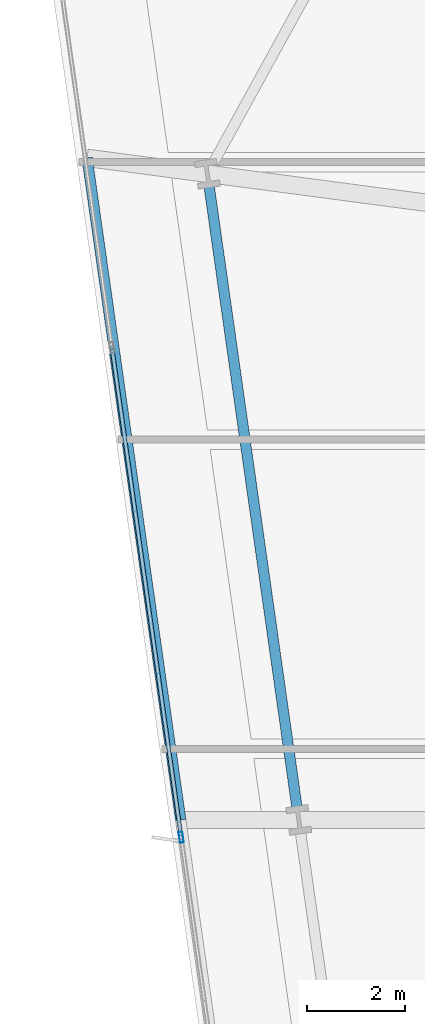
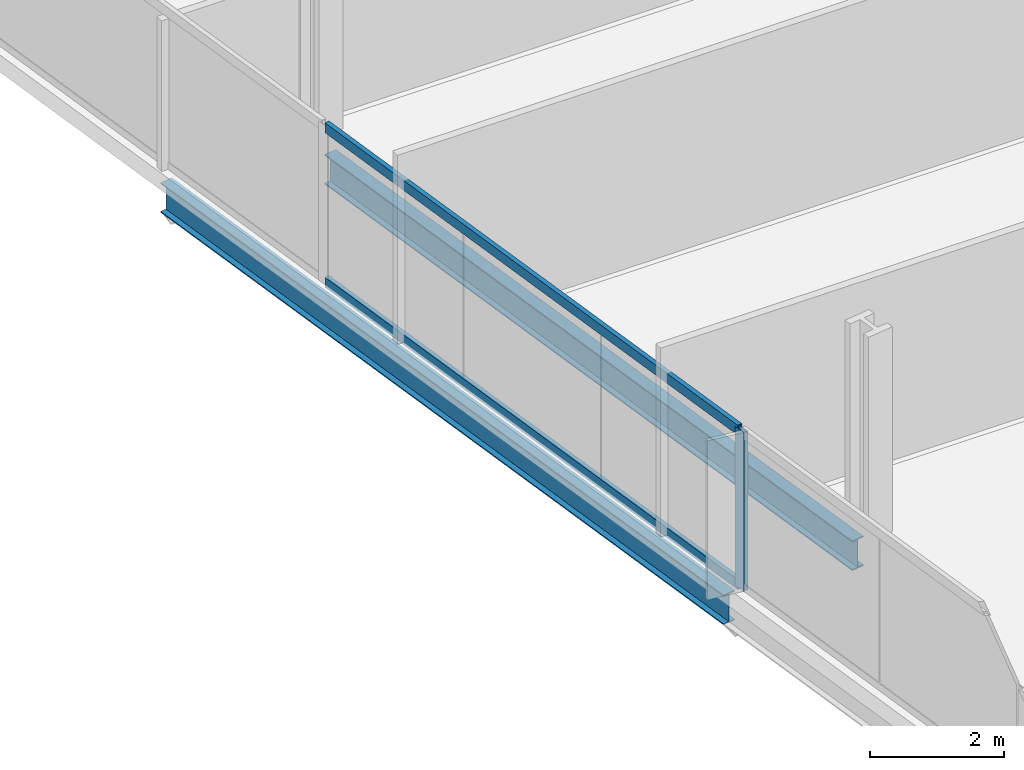
# One storey, part 7 of 33: 3 members, 2 beams, 1 element without a shape of its own.
"""IFC4 building model written with IfcOpenShell, lengths in metres."""

import ifcopenshell
import ifcopenshell.guid

model = None  # the IFC model being written
_history = None  # IfcOwnerHistory: only IFC2X3 demands one
_inside = {}  # id of a spatial element -> (the spatial element, [elements in it])
_under = {}  # id of a project, library or spatial element -> (it, [spatial elements below it])
_declared = {}  # id of a project -> (the project, [libraries it declares])
_typed = {}  # id of a type object -> (the type object, [elements of that type])
_made_of = {}  # id of a material, layer set ... -> (it, [elements and type objects made of it])


def new_model(schema):
    """Start an empty IFC model of exactly this schema.

    Asked for "IFC4X3", IfcOpenShell would pick the latest addendum, in which some entities
    have other attributes; the version numbers below select the first issue.
    IFC2X3 requires an IfcOwnerHistory on every rooted entity: one is made here for all.
    """
    global model, _history
    if schema == "IFC4X3":
        model = ifcopenshell.file(schema_version=(4, 3, 0, 0))
    else:
        model = ifcopenshell.file(schema=schema)
    _inside.clear()
    _under.clear()
    _declared.clear()
    _typed.clear()
    _made_of.clear()
    _history = None
    if model.schema == "IFC2X3":
        org = make("IfcOrganization", Name="unknown")
        user = make(
            "IfcPersonAndOrganization",
            ThePerson=make("IfcPerson", FamilyName="unknown"),
            TheOrganization=org,
        )
        app = make(
            "IfcApplication",
            ApplicationDeveloper=org,
            Version="unknown",
            ApplicationFullName="unknown",
            ApplicationIdentifier="unknown",
        )
        _history = make(
            "IfcOwnerHistory",
            OwningUser=user,
            OwningApplication=app,
            ChangeAction="ADDED",
            CreationDate=0,
        )
    return model


def make(cls, **values):
    """One entity of the class cls with the attributes given. An attribute that is None is left unset."""
    return model.create_entity(
        cls, **{name: value for name, value in values.items() if value is not None}
    )


def rooted(cls, **values):
    """An entity with a GlobalId (a new one), such as an element, a storey or a relation."""
    return make(cls, GlobalId=ifcopenshell.guid.new(), OwnerHistory=_history, **values)


def si_unit(unit_type, name, prefix=None):
    """IfcSIUnit, for example si_unit("LENGTHUNIT", "METRE", prefix="MILLI")."""
    return make("IfcSIUnit", UnitType=unit_type, Prefix=prefix, Name=name)


def assignment(units):
    """IfcUnitAssignment: the units of a project."""
    return None if units is None else make("IfcUnitAssignment", Units=units)


def point(xyz):
    """IfcCartesianPoint."""
    return None if xyz is None else make("IfcCartesianPoint", Coordinates=xyz)


def direction(xyz):
    """IfcDirection."""
    return None if xyz is None else make("IfcDirection", DirectionRatios=xyz)


def frame(location, z_axis=None, x_axis=None):
    """IfcAxis2Placement3D, a coordinate frame: its origin and axes. An axis left out is left unset."""
    return make(
        "IfcAxis2Placement3D",
        Location=point(location),
        Axis=direction(z_axis),
        RefDirection=direction(x_axis),
    )


def frame_2d(location, x_axis=None):
    """IfcAxis2Placement2D, a coordinate frame in the plane: its origin and x axis."""
    return make(
        "IfcAxis2Placement2D", Location=point(location), RefDirection=direction(x_axis)
    )


def origin():
    """The frame at (0, 0, 0) with its axes left unset."""
    return frame((0.0, 0.0, 0.0))


def origin_2d():
    """The frame at (0, 0) in the plane with its x axis left unset."""
    return frame_2d((0.0, 0.0))


def place(relative_to, where):
    """IfcLocalPlacement: puts the frame where relative to a parent placement (None: the world)."""
    return make(
        "IfcLocalPlacement", PlacementRelTo=relative_to, RelativePlacement=where
    )


def context(
    kind, dimensions, precision=None, world=None, true_north=None, identifier=None
):
    """IfcGeometricRepresentationContext, for example the 3D "Model" context."""
    return make(
        "IfcGeometricRepresentationContext",
        ContextIdentifier=identifier,
        ContextType=kind,
        CoordinateSpaceDimension=dimensions,
        Precision=precision,
        WorldCoordinateSystem=world,
        TrueNorth=true_north,
    )


def subcontext(parent, identifier, kind, view, scale=None):
    """IfcGeometricRepresentationSubContext, for example "Body" below "Model"."""
    return make(
        "IfcGeometricRepresentationSubContext",
        ContextIdentifier=identifier,
        ContextType=kind,
        ParentContext=parent,
        TargetScale=scale,
        TargetView=view,
    )


def project(units=None, contexts=None):
    """IfcProject with its units and contexts."""
    return rooted(
        "IfcProject",
        Name="project",
        RepresentationContexts=contexts,
        UnitsInContext=assignment(units),
    )


def spatial(cls, under=None, at=None, **own):
    """A site, building, storey or space (cls), placed at a placement, below another one or the project."""
    s = rooted(cls, ObjectPlacement=at, **own)
    if under is not None:
        _under.setdefault(under.id(), (under, []))[1].append(s)
    return s


def profile(cls, at=None, kind="AREA", **sizes):
    """A parametric profile (cls). Its sizes go by their IFC names, for example OverallWidth=200.0."""
    return make(cls, ProfileType=kind, Position=at, **sizes)


def hollow_rectangle(**sizes):
    """IfcRectangleHollowProfileDef."""
    return profile("IfcRectangleHollowProfileDef", **sizes)


def i_section(**sizes):
    """IfcIShapeProfileDef."""
    return profile("IfcIShapeProfileDef", **sizes)


def extrude(swept, where, along, depth):
    """IfcExtrudedAreaSolid: the profile swept, set in the frame where, extruded along a direction by depth."""
    return make(
        "IfcExtrudedAreaSolid",
        SweptArea=swept,
        Position=where,
        ExtrudedDirection=direction(along),
        Depth=depth,
    )


def shape(context_of_items, identifier, shape_type, items):
    """IfcShapeRepresentation: the items that make up one representation, for example the "Body"."""
    return make(
        "IfcShapeRepresentation",
        ContextOfItems=context_of_items,
        RepresentationIdentifier=identifier,
        RepresentationType=shape_type,
        Items=items,
    )


def material(Name=None, Category=None):
    """IfcMaterial."""
    return make("IfcMaterial", Name=Name, Category=Category)


def material_profile(
    of_material, cross_section, Name=None, Category=None, Priority=None
):
    """IfcMaterialProfile: a cross section and its material."""
    return make(
        "IfcMaterialProfile",
        Name=Name,
        Material=of_material,
        Profile=cross_section,
        Priority=Priority,
        Category=Category,
    )


def profile_set(profiles, Name=None, composite=None):
    """IfcMaterialProfileSet."""
    return make(
        "IfcMaterialProfileSet",
        Name=Name,
        MaterialProfiles=profiles,
        CompositeProfile=composite,
    )


def made_of(thing, what):
    """Note that an element or type object is made of a material, layer set ...; save() writes the relation."""
    if what is not None:
        _made_of.setdefault(what.id(), (what, []))[1].append(thing)
    return thing


def type_object(cls, material=None, **own):
    """A type object (cls), such as IfcWallType, which elements share."""
    return made_of(rooted(cls, **own), material)


def element(
    cls,
    number,
    at=None,
    inside=None,
    cuts=None,
    type_object=None,
    material=None,
    context=None,
    identifier="Body",
    shape_type=None,
    held_by="IfcProductDefinitionShape",
    body=None,
    shapes=None,
    **own,
):
    """One element of the class cls, such as IfcWall. Its Tag is "e" and its number.

    at: its placement. inside: the storey or other place that contains it. cuts: it is an
    opening in that element (IfcRelVoidsElement). A single representation is given by context,
    identifier, shape_type and body (its items); several are given by shapes. held_by: the class
    of the entity that holds the representations. save() writes the other relations.
    """
    e = rooted(cls, Tag="e%d" % number, ObjectPlacement=at, **own)
    if body is not None:
        shapes = [shape(context, identifier, shape_type, body)]
    if shapes is not None:
        e.Representation = make(held_by, Representations=shapes)
    if inside is not None:
        _inside.setdefault(inside.id(), (inside, []))[1].append(e)
    if cuts is not None:
        rooted(
            "IfcRelVoidsElement", RelatingBuildingElement=cuts, RelatedOpeningElement=e
        )
    if type_object is not None:
        _typed.setdefault(type_object.id(), (type_object, []))[1].append(e)
    return made_of(e, material)


def aggregate(whole, parts):
    """IfcRelAggregates: a whole, such as a stair, and the parts it consists of."""
    return rooted("IfcRelAggregates", RelatingObject=whole, RelatedObjects=parts)


def save(model, path):
    """Write the relations noted so far, then the file.

    IfcRelAggregates (storeys below a building ...), IfcRelContainedInSpatialStructure (elements
    in a storey), IfcRelDefinesByType, IfcRelAssociatesMaterial and IfcRelDeclares: one each for
    every whole, place, type object, material and project.
    """
    for whole, parts in _under.values():
        aggregate(whole, parts)
    for where, things in _inside.values():
        rooted(
            "IfcRelContainedInSpatialStructure",
            RelatedElements=things,
            RelatingStructure=where,
        )
    for kind, things in _typed.values():
        rooted("IfcRelDefinesByType", RelatedObjects=things, RelatingType=kind)
    for what, things in _made_of.values():
        rooted("IfcRelAssociatesMaterial", RelatedObjects=things, RelatingMaterial=what)
    for by, libraries in _declared.values():
        rooted("IfcRelDeclares", RelatingContext=by, RelatedDefinitions=libraries)
    model.write(path)


model = new_model("IFC4")

# Units and contexts
model_context = context("Model", 3, precision=1e-05, world=origin(), true_north=direction((0.0, 1.0)))
body_context = subcontext(model_context, "Body", "Model", "MODEL_VIEW")
ifc_project = project(units=[si_unit("LENGTHUNIT", "METRE"), si_unit("AREAUNIT", "SQUARE_METRE"), si_unit("VOLUMEUNIT", "CUBIC_METRE"), si_unit("PLANEANGLEUNIT", "RADIAN"), si_unit("MASSUNIT", "GRAM", prefix="KILO")], contexts=[model_context])

# Site, building, storey
site_placement = place(None, origin())
site = spatial("IfcSite", under=ifc_project, at=site_placement, CompositionType="ELEMENT")
building_placement = place(site_placement, origin())
building = spatial("IfcBuilding", under=site, at=building_placement, Name="Haldenkirk Collegiate Tower", CompositionType="ELEMENT")
storey_placement = place(building_placement, frame((0.0, 0.0, 55.199951171875)))
storey = spatial("IfcBuildingStorey", under=building, at=storey_placement, Name="L12", CompositionType="ELEMENT", Elevation=55.199951171875)

# Beams
ifc_material_1 = material(Name="Steel ASTM A992 Grade 50", Category="steel")
ifc_material_profile_1 = material_profile(ifc_material_1, i_section(OverallWidth=0.2119140625, OverallDepth=0.5439453125, WebThickness=0.01318359375, FlangeThickness=0.021240234375, at=origin_2d()), Name="W21X83")
ifc_profile_set_1 = profile_set([ifc_material_profile_1], Name="Steel ASTM A992 Grade 50")
beam_type = type_object("IfcBeamType", Name="BM-SPANDREL-W21X83", PredefinedType="SPANDREL", material=ifc_profile_set_1)
beam_1_placement = place(storey_placement, frame((10.30322265625, 35.951171875, -0.58203125), z_axis=(0.140049989419, -0.990144434143, 0.0), x_axis=(0.990144434143, 0.140049989419, 0.0)))
element("IfcBeam", 1, at=beam_1_placement, inside=storey, type_object=beam_type, Name="L12 perimeter spandrel beam 14", PredefinedType="SPANDREL", context=body_context, shape_type="SweptSolid", body=[
    extrude(i_section(OverallWidth=0.2119140625, OverallDepth=0.5439453125, WebThickness=0.01318359375, FlangeThickness=0.021240234375, at=origin_2d()), origin(), (0.0, 0.0, 1.0), 12.76220703125),
])
beam_2_placement = place(storey_placement, frame((7.816650390625, 36.536865234375, -0.58203125), z_axis=(0.140050830884, -0.990144315122, 0.0), x_axis=(0.990144315122, 0.140050830884, 0.0)))
element("IfcBeam", 2, at=beam_2_placement, inside=storey, type_object=beam_type, Name="L12 outer facade edge beam 4A", PredefinedType="SPANDREL", context=body_context, shape_type="SweptSolid", body=[
    extrude(i_section(OverallWidth=0.2119140625, OverallDepth=0.5439453125, WebThickness=0.01318359375, FlangeThickness=0.021240234375, at=origin_2d()), origin(), (0.0, 0.0, 1.0), 13.6181640625),
])

# Curtain wall, members
ifc_material_2 = material(Name="Anodised architectural bronze aluminium", Category="aluminium")
curtain_wall_type = type_object("IfcCurtainWallType", Name="CW-SYS1-CONVEX-LOW", PredefinedType="USERDEFINED", material=ifc_material_2)
curtain_wall_placement = place(storey_placement, origin())
curtain_wall = element("IfcCurtainWall", 3, at=curtain_wall_placement, inside=storey, type_object=curtain_wall_type, Name="L12 Lower tower convex bronze-framed unitised curtain wall", ObjectType="UNITISED CURTAIN WALL", PredefinedType="USERDEFINED")
ifc_material_profile_2 = material_profile(ifc_material_2, hollow_rectangle(XDim=0.080078125, YDim=0.219970703125, WallThickness=0.0048828125, at=origin_2d()), Name="CW-MUL-1A")
ifc_profile_set_2 = profile_set([ifc_material_profile_2], Name="Anodised architectural bronze aluminium")
member_type_1 = type_object("IfcMemberType", Name="CW-MUL-1A", PredefinedType="MULLION", material=ifc_profile_set_2)
member_1_placement = place(storey_placement, frame((9.733154296875, 22.70166015625, 0.0), z_axis=(0.0, 0.0, 1.0), x_axis=(-0.990145921918, -0.140039470541, 0.0)))
member_1 = element("IfcMember", 4, at=member_1_placement, type_object=member_type_1, Name="CW-1A mullion 3", PredefinedType="MULLION", context=body_context, shape_type="SweptSolid", body=[
    extrude(hollow_rectangle(XDim=0.080078125, YDim=0.219970703125, WallThickness=0.0048828125, at=origin_2d()), origin(), (0.0, 0.0, 1.0), 2.89111328125),
])
ifc_material_profile_3 = material_profile(ifc_material_2, hollow_rectangle(XDim=0.080078125, YDim=0.179931640625, WallThickness=0.0048828125, at=origin_2d()), Name="CW-TRN-1A")
ifc_profile_set_3 = profile_set([ifc_material_profile_3], Name="Anodised architectural bronze aluminium")
member_type_2 = type_object("IfcMemberType", Name="CW-TRN-1A", PredefinedType="USERDEFINED", material=ifc_profile_set_3)
member_2_placement = place(storey_placement, frame((9.7275390625, 22.7412109375, 0.0400390625), z_axis=(-0.140049081569, 0.990144562552, 0.0), x_axis=(-0.990144562552, -0.140049081569, 0.0)))
member_2 = element("IfcMember", 5, at=member_2_placement, type_object=member_type_2, Name="CW-1A transom 3.1", ObjectType="TRANSOM", PredefinedType="USERDEFINED", context=body_context, shape_type="SweptSolid", body=[
    extrude(hollow_rectangle(XDim=0.080078125, YDim=0.179931640625, WallThickness=0.0048828125, at=origin_2d()), origin(), (0.0, 0.0, 1.0), 9.98876953125),
])
member_3_placement = place(storey_placement, frame((9.7275390625, 22.7412109375, 2.85107421875), z_axis=(-0.140049081569, 0.990144562552, 0.0), x_axis=(-0.990144562552, -0.140049081569, 0.0)))
member_3 = element("IfcMember", 6, at=member_3_placement, type_object=member_type_2, Name="CW-1A transom 3.2", ObjectType="TRANSOM", PredefinedType="USERDEFINED", context=body_context, shape_type="SweptSolid", body=[
    extrude(hollow_rectangle(XDim=0.080078125, YDim=0.179931640625, WallThickness=0.0048828125, at=origin_2d()), origin(), (0.0, 0.0, 1.0), 9.98876953125),
])
aggregate(curtain_wall, [member_1, member_2, member_3])

save(model, "model.ifc")
